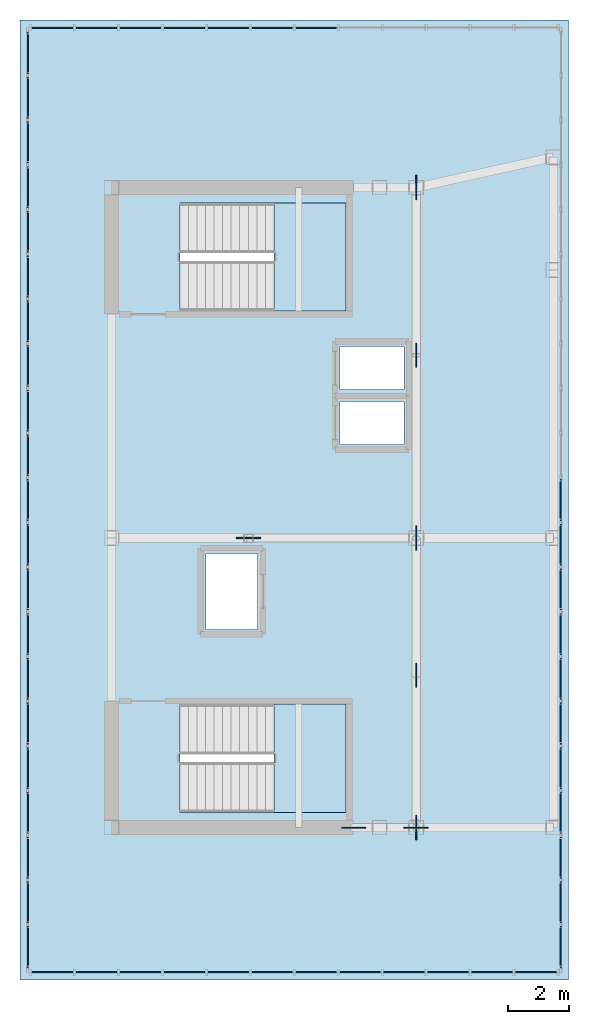
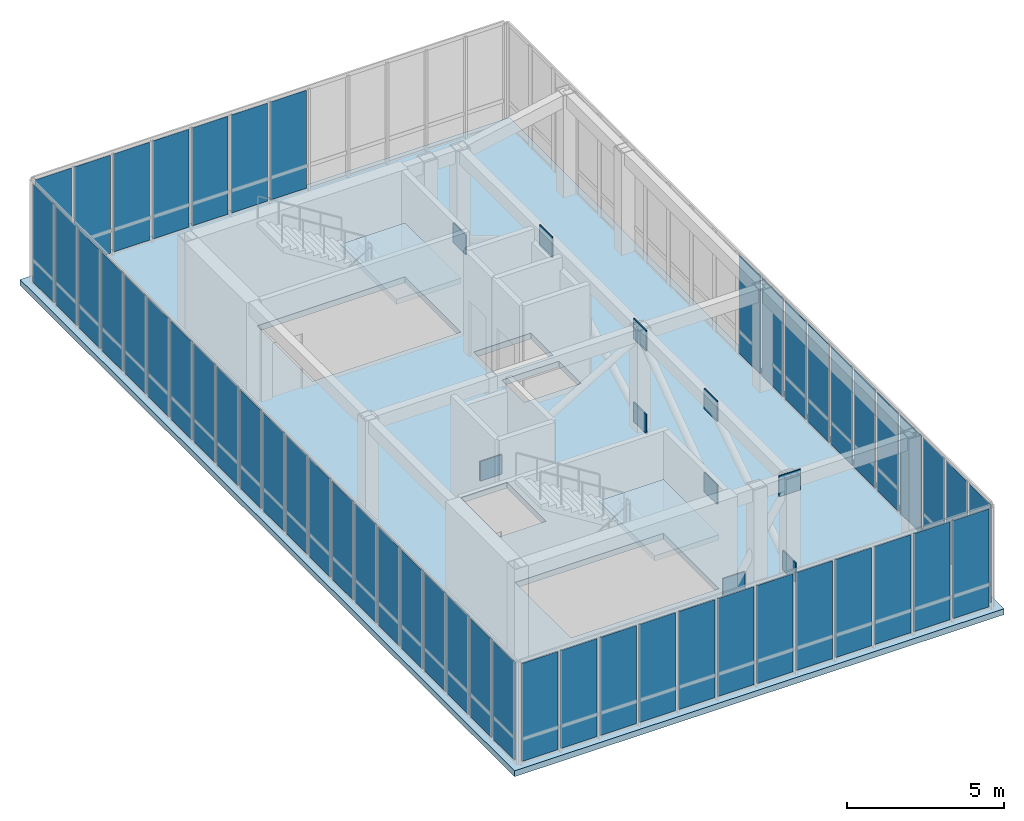
# One storey, part 11 of 13: 61 plates, 3 slabs, 6 elements without a shape of their own.
"""IFC4 building model written with IfcOpenShell, lengths in metres."""

from ifc_helpers import new_model, si_unit, direction, frame, origin, origin_2d, place, context, subcontext, project, spatial, polyline, rectangle, outline, extrude, source, transform, mapped, material, layer, layer_set, type_object, element, aggregate, save


model = new_model("IFC4")

# Units and contexts
model_context = context("Model", 3, precision=1e-05, world=origin(), true_north=direction((0.0, 1.0)))
body_context = subcontext(model_context, "Body", "Model", "MODEL_VIEW")
ifc_project = project(units=[si_unit("LENGTHUNIT", "METRE"), si_unit("AREAUNIT", "SQUARE_METRE"), si_unit("VOLUMEUNIT", "CUBIC_METRE"), si_unit("PLANEANGLEUNIT", "RADIAN"), si_unit("MASSUNIT", "GRAM", prefix="KILO")], contexts=[model_context])

# Site, building, storey
site_placement = place(None, origin())
site = spatial("IfcSite", under=ifc_project, at=site_placement, CompositionType="ELEMENT")
building_placement = place(site_placement, origin())
building = spatial("IfcBuilding", under=site, at=building_placement, Name="Kharzan Plaza Tower", CompositionType="ELEMENT")
storey_placement = place(building_placement, frame((0.0, 0.0, 285.60009765625)))
storey = spatial("IfcBuildingStorey", under=building, at=storey_placement, Name="L77-CROWN", CompositionType="ELEMENT", Elevation=285.60009765625)

# Slab
ifc_material_1 = material(Name="Concrete C40/50", Category="concrete")
ifc_layer_1 = layer(ifc_material_1, 0.22998046875)
ifc_layer_set_1 = layer_set([ifc_layer_1], Name="Concrete C40/50")
slab_type_1 = type_object("IfcSlabType", Name="SL-FLOOR-230", PredefinedType="FLOOR", material=ifc_layer_set_1)
slab_1_placement = place(storey_placement, frame((0.0, 0.0, -0.22998046875)))
element("IfcSlab", 1, at=slab_1_placement, inside=storey, type_object=slab_type_1, Name="L77-CROWN Composite Structural Floor Slab 230 mm", PredefinedType="FLOOR", context=body_context, shape_type="SweptSolid", body=[
    extrude(outline(polyline([(1.5, 3.5), (19.5, 3.5), (19.5, 35.0), (1.5, 35.0), (1.5, 3.5)]), holes=[polyline([(6.75, 12.550048828125), (6.75, 9.0), (12.199951171875, 9.0), (12.199951171875, 12.550048828125), (6.75, 12.550048828125)]), polyline([(7.60009765625, 17.5), (7.60009765625, 15.0), (9.300048828125, 15.0), (9.300048828125, 17.5), (7.60009765625, 17.5)]), polyline([(12.0, 22.489990234375), (12.0, 21.070068359375), (14.10009765625, 21.070068359375), (14.10009765625, 22.489990234375), (12.0, 22.489990234375)]), polyline([(14.10009765625, 24.2900390625), (12.0, 24.2900390625), (12.0, 22.8701171875), (14.10009765625, 22.8701171875), (14.10009765625, 24.2900390625)]), polyline([(12.199951171875, 29.0), (6.75, 29.0), (6.75, 25.449951171875), (12.199951171875, 25.449951171875), (12.199951171875, 29.0)])]), origin(), (0.0, 0.0, 1.0), 0.22998046875),
])

# Stair, slab
stair_type_1 = type_object("IfcStairType", Name="STR-ST-1", PredefinedType="HALF_TURN_STAIR", material=ifc_material_1)
stair_1_placement = place(storey_placement, origin())
stair_1 = element("IfcStair", 2, at=stair_1_placement, inside=storey, type_object=stair_type_1, Name="L77-CROWN Protected Exit Stair ST-1", PredefinedType="HALF_TURN_STAIR")
ifc_layer_2 = layer(ifc_material_1, 0.219970703125)
ifc_layer_set_2 = layer_set([ifc_layer_2], Name="Concrete C40/50")
slab_type_2 = type_object("IfcSlabType", Name="SL-LANDING-220", PredefinedType="LANDING", material=ifc_layer_set_2)
slab_2_placement = place(storey_placement, frame((0.0, 0.0, 1.89990234375)))
slab_2 = element("IfcSlab", 3, at=slab_2_placement, type_object=slab_type_2, Name="ST-1 landing 1", PredefinedType="LANDING", context=body_context, shape_type="SweptSolid", body=[
    extrude(outline(polyline([(9.830078125, 9.0), (12.199951171875, 9.0), (12.199951171875, 12.550048828125), (9.830078125, 12.550048828125), (9.830078125, 9.0)])), origin(), (0.0, 0.0, 1.0), 0.199951171875),
])
aggregate(stair_1, [slab_2])

stair_type_2 = type_object("IfcStairType", Name="STR-ST-2", PredefinedType="HALF_TURN_STAIR", material=ifc_material_1)
stair_2_placement = place(storey_placement, origin())
stair_2 = element("IfcStair", 4, at=stair_2_placement, inside=storey, type_object=stair_type_2, Name="L77-CROWN Protected Exit Stair ST-2", PredefinedType="HALF_TURN_STAIR")
slab_3_placement = place(storey_placement, frame((0.0, 0.0, 1.89990234375)))
slab_3 = element("IfcSlab", 5, at=slab_3_placement, type_object=slab_type_2, Name="ST-2 landing 1", PredefinedType="LANDING", context=body_context, shape_type="SweptSolid", body=[
    extrude(outline(polyline([(9.830078125, 25.449951171875), (12.199951171875, 25.449951171875), (12.199951171875, 29.0), (9.830078125, 29.0), (9.830078125, 25.449951171875)])), origin(), (0.0, 0.0, 1.0), 0.199951171875),
])
aggregate(stair_2, [slab_3])

# Curtain wall, plates
ifc_material_2 = material(Name="Unitised Bronze-Anodized Aluminium and Low-E Glass", Category="aluminium")
ifc_layer_3 = layer(ifc_material_2, 0.199951171875)
ifc_layer_set_3 = layer_set([ifc_layer_3], Name="Unitised Bronze-Anodized Aluminium and Low-E Glass")
curtain_wall_type = type_object("IfcCurtainWallType", Name="CW-LANTERN-6", PredefinedType="NOTDEFINED", material=ifc_layer_set_3)
curtain_wall_1_placement = place(storey_placement, origin())
curtain_wall_1 = element("IfcCurtainWall", 6, at=curtain_wall_1_placement, inside=storey, type_object=curtain_wall_type, Name="L77-CROWN Lantern Crown Illuminated Curtain Wall 1", PredefinedType="NOTDEFINED")
ifc_material_3 = material(Name="Low-Iron Fritted Lantern Crown Glazing", Category="glass")
ifc_layer_4 = layer(ifc_material_3, 0.035888671875)
ifc_layer_set_4 = layer_set([ifc_layer_4], Name="Low-Iron Fritted Lantern Crown Glazing")
plate_type_1 = type_object("IfcPlateType", Name="PLT-CW-LANTERN", PredefinedType="CURTAIN_PANEL", material=ifc_layer_set_4)
shared_shape_1 = source(origin(), body_context, "Body", "SweptSolid", [
    extrude(rectangle(XDim=1.32177734375, YDim=0.035888671875, at=origin_2d()), origin(), (0.0, 0.0, 1.0), 3.81005859375),
])
plate_1_placement = place(storey_placement, frame((2.57080078125, 3.75, 0.079833984375), z_axis=(0.0, 0.0, 1.0), x_axis=(1.0, 0.0, 0.0)))
plate_1 = element("IfcPlate", 7, at=plate_1_placement, type_object=plate_type_1, Name="L77-CROWN Curtain-Wall Glazed Panel 00", PredefinedType="CURTAIN_PANEL", context=body_context, shape_type="MappedRepresentation", body=[
    mapped(shared_shape_1, transform((0.0, 0.0, 0.0), x_axis=(1.0, 0.0, 0.0), y_axis=(0.0, 1.0, 0.0), z_axis=(0.0, 0.0, 1.0))),
])
plate_2_placement = place(storey_placement, frame((4.012451171875, 3.75, 0.079833984375), z_axis=(0.0, 0.0, 1.0), x_axis=(1.0, 0.0, 0.0)))
plate_2 = element("IfcPlate", 8, at=plate_2_placement, type_object=plate_type_1, Name="L77-CROWN Curtain-Wall Glazed Panel 01", PredefinedType="CURTAIN_PANEL", context=body_context, shape_type="MappedRepresentation", body=[
    mapped(shared_shape_1, transform((0.0, 0.0, 0.0), x_axis=(1.0, 0.0, 0.0), y_axis=(0.0, 1.0, 0.0), z_axis=(0.0, 0.0, 1.0))),
])
plate_3_placement = place(storey_placement, frame((5.4541015625, 3.75, 0.079833984375), z_axis=(0.0, 0.0, 1.0), x_axis=(1.0, 0.0, 0.0)))
plate_3 = element("IfcPlate", 9, at=plate_3_placement, type_object=plate_type_1, Name="L77-CROWN Curtain-Wall Glazed Panel 02", PredefinedType="CURTAIN_PANEL", context=body_context, shape_type="MappedRepresentation", body=[
    mapped(shared_shape_1, transform((0.0, 0.0, 0.0), x_axis=(1.0, 0.0, 0.0), y_axis=(0.0, 1.0, 0.0), z_axis=(0.0, 0.0, 1.0))),
])
plate_4_placement = place(storey_placement, frame((6.895751953125, 3.75, 0.079833984375), z_axis=(0.0, 0.0, 1.0), x_axis=(1.0, 0.0, 0.0)))
plate_4 = element("IfcPlate", 10, at=plate_4_placement, type_object=plate_type_1, Name="L77-CROWN Curtain-Wall Glazed Panel 03", PredefinedType="CURTAIN_PANEL", context=body_context, shape_type="MappedRepresentation", body=[
    mapped(shared_shape_1, transform((0.0, 0.0, 0.0), x_axis=(1.0, 0.0, 0.0), y_axis=(0.0, 1.0, 0.0), z_axis=(0.0, 0.0, 1.0))),
])
plate_5_placement = place(storey_placement, frame((8.33740234375, 3.75, 0.079833984375), z_axis=(0.0, 0.0, 1.0), x_axis=(1.0, 0.0, 0.0)))
plate_5 = element("IfcPlate", 11, at=plate_5_placement, type_object=plate_type_1, Name="L77-CROWN Curtain-Wall Glazed Panel 04", PredefinedType="CURTAIN_PANEL", context=body_context, shape_type="MappedRepresentation", body=[
    mapped(shared_shape_1, transform((0.0, 0.0, 0.0), x_axis=(1.0, 0.0, 0.0), y_axis=(0.0, 1.0, 0.0), z_axis=(0.0, 0.0, 1.0))),
])
plate_6_placement = place(storey_placement, frame((9.779296875, 3.75, 0.079833984375), z_axis=(0.0, 0.0, 1.0), x_axis=(1.0, 0.0, 0.0)))
plate_6 = element("IfcPlate", 12, at=plate_6_placement, type_object=plate_type_1, Name="L77-CROWN Curtain-Wall Glazed Panel 05", PredefinedType="CURTAIN_PANEL", context=body_context, shape_type="MappedRepresentation", body=[
    mapped(shared_shape_1, transform((0.0, 0.0, 0.0), x_axis=(1.0, 0.0, 0.0), y_axis=(0.0, 1.0, 0.0), z_axis=(0.0, 0.0, 1.0))),
])
plate_7_placement = place(storey_placement, frame((11.220703125, 3.75, 0.079833984375), z_axis=(0.0, 0.0, 1.0), x_axis=(1.0, 0.0, 0.0)))
plate_7 = element("IfcPlate", 13, at=plate_7_placement, type_object=plate_type_1, Name="L77-CROWN Curtain-Wall Glazed Panel 06", PredefinedType="CURTAIN_PANEL", context=body_context, shape_type="MappedRepresentation", body=[
    mapped(shared_shape_1, transform((0.0, 0.0, 0.0), x_axis=(1.0, 0.0, 0.0), y_axis=(0.0, 1.0, 0.0), z_axis=(0.0, 0.0, 1.0))),
])
plate_8_placement = place(storey_placement, frame((12.66259765625, 3.75, 0.079833984375), z_axis=(0.0, 0.0, 1.0), x_axis=(1.0, 0.0, 0.0)))
plate_8 = element("IfcPlate", 14, at=plate_8_placement, type_object=plate_type_1, Name="L77-CROWN Curtain-Wall Glazed Panel 07", PredefinedType="CURTAIN_PANEL", context=body_context, shape_type="MappedRepresentation", body=[
    mapped(shared_shape_1, transform((0.0, 0.0, 0.0), x_axis=(1.0, 0.0, 0.0), y_axis=(0.0, 1.0, 0.0), z_axis=(0.0, 0.0, 1.0))),
])
plate_9_placement = place(storey_placement, frame((14.104248046875, 3.75, 0.079833984375), z_axis=(0.0, 0.0, 1.0), x_axis=(1.0, 0.0, 0.0)))
plate_9 = element("IfcPlate", 15, at=plate_9_placement, type_object=plate_type_1, Name="L77-CROWN Curtain-Wall Glazed Panel 08", PredefinedType="CURTAIN_PANEL", context=body_context, shape_type="MappedRepresentation", body=[
    mapped(shared_shape_1, transform((0.0, 0.0, 0.0), x_axis=(1.0, 0.0, 0.0), y_axis=(0.0, 1.0, 0.0), z_axis=(0.0, 0.0, 1.0))),
])
plate_10_placement = place(storey_placement, frame((15.5458984375, 3.75, 0.079833984375), z_axis=(0.0, 0.0, 1.0), x_axis=(1.0, 0.0, 0.0)))
plate_10 = element("IfcPlate", 16, at=plate_10_placement, type_object=plate_type_1, Name="L77-CROWN Curtain-Wall Glazed Panel 09", PredefinedType="CURTAIN_PANEL", context=body_context, shape_type="MappedRepresentation", body=[
    mapped(shared_shape_1, transform((0.0, 0.0, 0.0), x_axis=(1.0, 0.0, 0.0), y_axis=(0.0, 1.0, 0.0), z_axis=(0.0, 0.0, 1.0))),
])
plate_11_placement = place(storey_placement, frame((16.987548828125, 3.75, 0.079833984375), z_axis=(0.0, 0.0, 1.0), x_axis=(1.0, 0.0, 0.0)))
plate_11 = element("IfcPlate", 17, at=plate_11_placement, type_object=plate_type_1, Name="L77-CROWN Curtain-Wall Glazed Panel 10", PredefinedType="CURTAIN_PANEL", context=body_context, shape_type="MappedRepresentation", body=[
    mapped(shared_shape_1, transform((0.0, 0.0, 0.0), x_axis=(1.0, 0.0, 0.0), y_axis=(0.0, 1.0, 0.0), z_axis=(0.0, 0.0, 1.0))),
])
plate_12_placement = place(storey_placement, frame((18.42919921875, 3.75, 0.079833984375), z_axis=(0.0, 0.0, 1.0), x_axis=(1.0, 0.0, 0.0)))
plate_12 = element("IfcPlate", 18, at=plate_12_placement, type_object=plate_type_1, Name="L77-CROWN Curtain-Wall Glazed Panel 11", PredefinedType="CURTAIN_PANEL", context=body_context, shape_type="MappedRepresentation", body=[
    mapped(shared_shape_1, transform((0.0, 0.0, 0.0), x_axis=(1.0, 0.0, 0.0), y_axis=(0.0, 1.0, 0.0), z_axis=(0.0, 0.0, 1.0))),
])
aggregate(curtain_wall_1, [plate_1, plate_2, plate_3, plate_4, plate_5, plate_6, plate_7, plate_8, plate_9, plate_10, plate_11, plate_12])

curtain_wall_2_placement = place(storey_placement, origin())
curtain_wall_2 = element("IfcCurtainWall", 19, at=curtain_wall_2_placement, inside=storey, type_object=curtain_wall_type, Name="L77-CROWN Lantern Crown Illuminated Curtain Wall 3", PredefinedType="NOTDEFINED")
plate_13_placement = place(storey_placement, frame((11.220703125, 34.75, 0.079833984375), z_axis=(0.0, 0.0, 1.0), x_axis=(-1.0, 0.0, 0.0)))
plate_13 = element("IfcPlate", 20, at=plate_13_placement, type_object=plate_type_1, Name="L77-CROWN Curtain-Wall Glazed Panel 05", PredefinedType="CURTAIN_PANEL", context=body_context, shape_type="MappedRepresentation", body=[
    mapped(shared_shape_1, transform((0.0, 0.0, 0.0), x_axis=(1.0, 0.0, 0.0), y_axis=(0.0, 1.0, 0.0), z_axis=(0.0, 0.0, 1.0))),
])
plate_14_placement = place(storey_placement, frame((9.779296875, 34.75, 0.079833984375), z_axis=(0.0, 0.0, 1.0), x_axis=(-1.0, 0.0, 0.0)))
plate_14 = element("IfcPlate", 21, at=plate_14_placement, type_object=plate_type_1, Name="L77-CROWN Curtain-Wall Glazed Panel 06", PredefinedType="CURTAIN_PANEL", context=body_context, shape_type="MappedRepresentation", body=[
    mapped(shared_shape_1, transform((0.0, 0.0, 0.0), x_axis=(1.0, 0.0, 0.0), y_axis=(0.0, 1.0, 0.0), z_axis=(0.0, 0.0, 1.0))),
])
plate_15_placement = place(storey_placement, frame((8.33740234375, 34.75, 0.079833984375), z_axis=(0.0, 0.0, 1.0), x_axis=(-1.0, 0.0, 0.0)))
plate_15 = element("IfcPlate", 22, at=plate_15_placement, type_object=plate_type_1, Name="L77-CROWN Curtain-Wall Glazed Panel 07", PredefinedType="CURTAIN_PANEL", context=body_context, shape_type="MappedRepresentation", body=[
    mapped(shared_shape_1, transform((0.0, 0.0, 0.0), x_axis=(1.0, 0.0, 0.0), y_axis=(0.0, 1.0, 0.0), z_axis=(0.0, 0.0, 1.0))),
])
plate_16_placement = place(storey_placement, frame((6.895751953125, 34.75, 0.079833984375), z_axis=(0.0, 0.0, 1.0), x_axis=(-1.0, 0.0, 0.0)))
plate_16 = element("IfcPlate", 23, at=plate_16_placement, type_object=plate_type_1, Name="L77-CROWN Curtain-Wall Glazed Panel 08", PredefinedType="CURTAIN_PANEL", context=body_context, shape_type="MappedRepresentation", body=[
    mapped(shared_shape_1, transform((0.0, 0.0, 0.0), x_axis=(1.0, 0.0, 0.0), y_axis=(0.0, 1.0, 0.0), z_axis=(0.0, 0.0, 1.0))),
])
plate_17_placement = place(storey_placement, frame((5.4541015625, 34.75, 0.079833984375), z_axis=(0.0, 0.0, 1.0), x_axis=(-1.0, 0.0, 0.0)))
plate_17 = element("IfcPlate", 24, at=plate_17_placement, type_object=plate_type_1, Name="L77-CROWN Curtain-Wall Glazed Panel 09", PredefinedType="CURTAIN_PANEL", context=body_context, shape_type="MappedRepresentation", body=[
    mapped(shared_shape_1, transform((0.0, 0.0, 0.0), x_axis=(1.0, 0.0, 0.0), y_axis=(0.0, 1.0, 0.0), z_axis=(0.0, 0.0, 1.0))),
])
plate_18_placement = place(storey_placement, frame((4.012451171875, 34.75, 0.079833984375), z_axis=(0.0, 0.0, 1.0), x_axis=(-1.0, 0.0, 0.0)))
plate_18 = element("IfcPlate", 25, at=plate_18_placement, type_object=plate_type_1, Name="L77-CROWN Curtain-Wall Glazed Panel 10", PredefinedType="CURTAIN_PANEL", context=body_context, shape_type="MappedRepresentation", body=[
    mapped(shared_shape_1, transform((0.0, 0.0, 0.0), x_axis=(1.0, 0.0, 0.0), y_axis=(0.0, 1.0, 0.0), z_axis=(0.0, 0.0, 1.0))),
])
plate_19_placement = place(storey_placement, frame((2.57080078125, 34.75, 0.079833984375), z_axis=(0.0, 0.0, 1.0), x_axis=(-1.0, 0.0, 0.0)))
plate_19 = element("IfcPlate", 26, at=plate_19_placement, type_object=plate_type_1, Name="L77-CROWN Curtain-Wall Glazed Panel 11", PredefinedType="CURTAIN_PANEL", context=body_context, shape_type="MappedRepresentation", body=[
    mapped(shared_shape_1, transform((0.0, 0.0, 0.0), x_axis=(1.0, 0.0, 0.0), y_axis=(0.0, 1.0, 0.0), z_axis=(0.0, 0.0, 1.0))),
])
aggregate(curtain_wall_2, [plate_13, plate_14, plate_15, plate_16, plate_17, plate_18, plate_19])

curtain_wall_3_placement = place(storey_placement, origin())
curtain_wall_3 = element("IfcCurtainWall", 27, at=curtain_wall_3_placement, inside=storey, type_object=curtain_wall_type, Name="L77-CROWN Lantern Crown Illuminated Curtain Wall 2", PredefinedType="NOTDEFINED")
shared_shape_2 = source(origin(), body_context, "Body", "SweptSolid", [
    extrude(rectangle(XDim=1.3466796875, YDim=0.035888671875, at=origin_2d()), origin(), (0.0, 0.0, 1.0), 3.81005859375),
])
plate_20_placement = place(storey_placement, frame((19.25, 4.583251953125, 0.079833984375), z_axis=(0.0, 0.0, 1.0), x_axis=(0.0, 1.0, 0.0)))
plate_20 = element("IfcPlate", 28, at=plate_20_placement, type_object=plate_type_1, Name="L77-CROWN Curtain-Wall Glazed Panel 00", PredefinedType="CURTAIN_PANEL", context=body_context, shape_type="MappedRepresentation", body=[
    mapped(shared_shape_2, transform((0.0, 0.0, 0.0), x_axis=(1.0, 0.0, 0.0), y_axis=(0.0, 1.0, 0.0), z_axis=(0.0, 0.0, 1.0))),
])
plate_21_placement = place(storey_placement, frame((19.25, 6.050048828125, 0.079833984375), z_axis=(0.0, 0.0, 1.0), x_axis=(0.0, 1.0, 0.0)))
plate_21 = element("IfcPlate", 29, at=plate_21_placement, type_object=plate_type_1, Name="L77-CROWN Curtain-Wall Glazed Panel 01", PredefinedType="CURTAIN_PANEL", context=body_context, shape_type="MappedRepresentation", body=[
    mapped(shared_shape_2, transform((0.0, 0.0, 0.0), x_axis=(1.0, 0.0, 0.0), y_axis=(0.0, 1.0, 0.0), z_axis=(0.0, 0.0, 1.0))),
])
plate_22_placement = place(storey_placement, frame((19.25, 7.5166015625, 0.079833984375), z_axis=(0.0, 0.0, 1.0), x_axis=(0.0, 1.0, 0.0)))
plate_22 = element("IfcPlate", 30, at=plate_22_placement, type_object=plate_type_1, Name="L77-CROWN Curtain-Wall Glazed Panel 02", PredefinedType="CURTAIN_PANEL", context=body_context, shape_type="MappedRepresentation", body=[
    mapped(shared_shape_2, transform((0.0, 0.0, 0.0), x_axis=(1.0, 0.0, 0.0), y_axis=(0.0, 1.0, 0.0), z_axis=(0.0, 0.0, 1.0))),
])
plate_23_placement = place(storey_placement, frame((19.25, 8.9833984375, 0.079833984375), z_axis=(0.0, 0.0, 1.0), x_axis=(0.0, 1.0, 0.0)))
plate_23 = element("IfcPlate", 31, at=plate_23_placement, type_object=plate_type_1, Name="L77-CROWN Curtain-Wall Glazed Panel 03", PredefinedType="CURTAIN_PANEL", context=body_context, shape_type="MappedRepresentation", body=[
    mapped(shared_shape_2, transform((0.0, 0.0, 0.0), x_axis=(1.0, 0.0, 0.0), y_axis=(0.0, 1.0, 0.0), z_axis=(0.0, 0.0, 1.0))),
])
plate_24_placement = place(storey_placement, frame((19.25, 10.449951171875, 0.079833984375), z_axis=(0.0, 0.0, 1.0), x_axis=(0.0, 1.0, 0.0)))
plate_24 = element("IfcPlate", 32, at=plate_24_placement, type_object=plate_type_1, Name="L77-CROWN Curtain-Wall Glazed Panel 04", PredefinedType="CURTAIN_PANEL", context=body_context, shape_type="MappedRepresentation", body=[
    mapped(shared_shape_2, transform((0.0, 0.0, 0.0), x_axis=(1.0, 0.0, 0.0), y_axis=(0.0, 1.0, 0.0), z_axis=(0.0, 0.0, 1.0))),
])
plate_25_placement = place(storey_placement, frame((19.25, 11.916748046875, 0.079833984375), z_axis=(0.0, 0.0, 1.0), x_axis=(0.0, 1.0, 0.0)))
plate_25 = element("IfcPlate", 33, at=plate_25_placement, type_object=plate_type_1, Name="L77-CROWN Curtain-Wall Glazed Panel 05", PredefinedType="CURTAIN_PANEL", context=body_context, shape_type="MappedRepresentation", body=[
    mapped(shared_shape_2, transform((0.0, 0.0, 0.0), x_axis=(1.0, 0.0, 0.0), y_axis=(0.0, 1.0, 0.0), z_axis=(0.0, 0.0, 1.0))),
])
plate_26_placement = place(storey_placement, frame((19.25, 13.38330078125, 0.079833984375), z_axis=(0.0, 0.0, 1.0), x_axis=(0.0, 1.0, 0.0)))
plate_26 = element("IfcPlate", 34, at=plate_26_placement, type_object=plate_type_1, Name="L77-CROWN Curtain-Wall Glazed Panel 06", PredefinedType="CURTAIN_PANEL", context=body_context, shape_type="MappedRepresentation", body=[
    mapped(shared_shape_2, transform((0.0, 0.0, 0.0), x_axis=(1.0, 0.0, 0.0), y_axis=(0.0, 1.0, 0.0), z_axis=(0.0, 0.0, 1.0))),
])
plate_27_placement = place(storey_placement, frame((19.25, 14.85009765625, 0.079833984375), z_axis=(0.0, 0.0, 1.0), x_axis=(0.0, 1.0, 0.0)))
plate_27 = element("IfcPlate", 35, at=plate_27_placement, type_object=plate_type_1, Name="L77-CROWN Curtain-Wall Glazed Panel 07", PredefinedType="CURTAIN_PANEL", context=body_context, shape_type="MappedRepresentation", body=[
    mapped(shared_shape_2, transform((0.0, 0.0, 0.0), x_axis=(1.0, 0.0, 0.0), y_axis=(0.0, 1.0, 0.0), z_axis=(0.0, 0.0, 1.0))),
])
plate_28_placement = place(storey_placement, frame((19.25, 16.316650390625, 0.079833984375), z_axis=(0.0, 0.0, 1.0), x_axis=(0.0, 1.0, 0.0)))
plate_28 = element("IfcPlate", 36, at=plate_28_placement, type_object=plate_type_1, Name="L77-CROWN Curtain-Wall Glazed Panel 08", PredefinedType="CURTAIN_PANEL", context=body_context, shape_type="MappedRepresentation", body=[
    mapped(shared_shape_2, transform((0.0, 0.0, 0.0), x_axis=(1.0, 0.0, 0.0), y_axis=(0.0, 1.0, 0.0), z_axis=(0.0, 0.0, 1.0))),
])
plate_29_placement = place(storey_placement, frame((19.25, 17.783203125, 0.079833984375), z_axis=(0.0, 0.0, 1.0), x_axis=(0.0, 1.0, 0.0)))
plate_29 = element("IfcPlate", 37, at=plate_29_placement, type_object=plate_type_1, Name="L77-CROWN Curtain-Wall Glazed Panel 09", PredefinedType="CURTAIN_PANEL", context=body_context, shape_type="MappedRepresentation", body=[
    mapped(shared_shape_2, transform((0.0, 0.0, 0.0), x_axis=(1.0, 0.0, 0.0), y_axis=(0.0, 1.0, 0.0), z_axis=(0.0, 0.0, 1.0))),
])
plate_30_placement = place(storey_placement, frame((19.25, 19.25, 0.079833984375), z_axis=(0.0, 0.0, 1.0), x_axis=(0.0, 1.0, 0.0)))
plate_30 = element("IfcPlate", 38, at=plate_30_placement, type_object=plate_type_1, Name="L77-CROWN Curtain-Wall Glazed Panel 10", PredefinedType="CURTAIN_PANEL", context=body_context, shape_type="MappedRepresentation", body=[
    mapped(shared_shape_2, transform((0.0, 0.0, 0.0), x_axis=(1.0, 0.0, 0.0), y_axis=(0.0, 1.0, 0.0), z_axis=(0.0, 0.0, 1.0))),
])
aggregate(curtain_wall_3, [plate_20, plate_21, plate_22, plate_23, plate_24, plate_25, plate_26, plate_27, plate_28, plate_29, plate_30])

curtain_wall_4_placement = place(storey_placement, origin())
curtain_wall_4 = element("IfcCurtainWall", 39, at=curtain_wall_4_placement, inside=storey, type_object=curtain_wall_type, Name="L77-CROWN Lantern Crown Illuminated Curtain Wall 4", PredefinedType="NOTDEFINED")
plate_31_placement = place(storey_placement, frame((1.75, 33.916748046875, 0.079833984375), z_axis=(0.0, 0.0, 1.0), x_axis=(0.0, -1.0, 0.0)))
plate_31 = element("IfcPlate", 40, at=plate_31_placement, type_object=plate_type_1, Name="L77-CROWN Curtain-Wall Glazed Panel 00", PredefinedType="CURTAIN_PANEL", context=body_context, shape_type="MappedRepresentation", body=[
    mapped(shared_shape_2, transform((0.0, 0.0, 0.0), x_axis=(1.0, 0.0, 0.0), y_axis=(0.0, 1.0, 0.0), z_axis=(0.0, 0.0, 1.0))),
])
plate_32_placement = place(storey_placement, frame((1.75, 32.449951171875, 0.079833984375), z_axis=(0.0, 0.0, 1.0), x_axis=(0.0, -1.0, 0.0)))
plate_32 = element("IfcPlate", 41, at=plate_32_placement, type_object=plate_type_1, Name="L77-CROWN Curtain-Wall Glazed Panel 01", PredefinedType="CURTAIN_PANEL", context=body_context, shape_type="MappedRepresentation", body=[
    mapped(shared_shape_2, transform((0.0, 0.0, 0.0), x_axis=(1.0, 0.0, 0.0), y_axis=(0.0, 1.0, 0.0), z_axis=(0.0, 0.0, 1.0))),
])
plate_33_placement = place(storey_placement, frame((1.75, 30.9833984375, 0.079833984375), z_axis=(0.0, 0.0, 1.0), x_axis=(0.0, -1.0, 0.0)))
plate_33 = element("IfcPlate", 42, at=plate_33_placement, type_object=plate_type_1, Name="L77-CROWN Curtain-Wall Glazed Panel 02", PredefinedType="CURTAIN_PANEL", context=body_context, shape_type="MappedRepresentation", body=[
    mapped(shared_shape_2, transform((0.0, 0.0, 0.0), x_axis=(1.0, 0.0, 0.0), y_axis=(0.0, 1.0, 0.0), z_axis=(0.0, 0.0, 1.0))),
])
plate_34_placement = place(storey_placement, frame((1.75, 29.5166015625, 0.079833984375), z_axis=(0.0, 0.0, 1.0), x_axis=(0.0, -1.0, 0.0)))
plate_34 = element("IfcPlate", 43, at=plate_34_placement, type_object=plate_type_1, Name="L77-CROWN Curtain-Wall Glazed Panel 03", PredefinedType="CURTAIN_PANEL", context=body_context, shape_type="MappedRepresentation", body=[
    mapped(shared_shape_2, transform((0.0, 0.0, 0.0), x_axis=(1.0, 0.0, 0.0), y_axis=(0.0, 1.0, 0.0), z_axis=(0.0, 0.0, 1.0))),
])
plate_35_placement = place(storey_placement, frame((1.75, 28.050048828125, 0.079833984375), z_axis=(0.0, 0.0, 1.0), x_axis=(0.0, -1.0, 0.0)))
plate_35 = element("IfcPlate", 44, at=plate_35_placement, type_object=plate_type_1, Name="L77-CROWN Curtain-Wall Glazed Panel 04", PredefinedType="CURTAIN_PANEL", context=body_context, shape_type="MappedRepresentation", body=[
    mapped(shared_shape_2, transform((0.0, 0.0, 0.0), x_axis=(1.0, 0.0, 0.0), y_axis=(0.0, 1.0, 0.0), z_axis=(0.0, 0.0, 1.0))),
])
plate_36_placement = place(storey_placement, frame((1.75, 26.583251953125, 0.079833984375), z_axis=(0.0, 0.0, 1.0), x_axis=(0.0, -1.0, 0.0)))
plate_36 = element("IfcPlate", 45, at=plate_36_placement, type_object=plate_type_1, Name="L77-CROWN Curtain-Wall Glazed Panel 05", PredefinedType="CURTAIN_PANEL", context=body_context, shape_type="MappedRepresentation", body=[
    mapped(shared_shape_2, transform((0.0, 0.0, 0.0), x_axis=(1.0, 0.0, 0.0), y_axis=(0.0, 1.0, 0.0), z_axis=(0.0, 0.0, 1.0))),
])
plate_37_placement = place(storey_placement, frame((1.75, 25.11669921875, 0.079833984375), z_axis=(0.0, 0.0, 1.0), x_axis=(0.0, -1.0, 0.0)))
plate_37 = element("IfcPlate", 46, at=plate_37_placement, type_object=plate_type_1, Name="L77-CROWN Curtain-Wall Glazed Panel 06", PredefinedType="CURTAIN_PANEL", context=body_context, shape_type="MappedRepresentation", body=[
    mapped(shared_shape_2, transform((0.0, 0.0, 0.0), x_axis=(1.0, 0.0, 0.0), y_axis=(0.0, 1.0, 0.0), z_axis=(0.0, 0.0, 1.0))),
])
plate_38_placement = place(storey_placement, frame((1.75, 23.64990234375, 0.079833984375), z_axis=(0.0, 0.0, 1.0), x_axis=(0.0, -1.0, 0.0)))
plate_38 = element("IfcPlate", 47, at=plate_38_placement, type_object=plate_type_1, Name="L77-CROWN Curtain-Wall Glazed Panel 07", PredefinedType="CURTAIN_PANEL", context=body_context, shape_type="MappedRepresentation", body=[
    mapped(shared_shape_2, transform((0.0, 0.0, 0.0), x_axis=(1.0, 0.0, 0.0), y_axis=(0.0, 1.0, 0.0), z_axis=(0.0, 0.0, 1.0))),
])
plate_39_placement = place(storey_placement, frame((1.75, 22.183349609375, 0.079833984375), z_axis=(0.0, 0.0, 1.0), x_axis=(0.0, -1.0, 0.0)))
plate_39 = element("IfcPlate", 48, at=plate_39_placement, type_object=plate_type_1, Name="L77-CROWN Curtain-Wall Glazed Panel 08", PredefinedType="CURTAIN_PANEL", context=body_context, shape_type="MappedRepresentation", body=[
    mapped(shared_shape_2, transform((0.0, 0.0, 0.0), x_axis=(1.0, 0.0, 0.0), y_axis=(0.0, 1.0, 0.0), z_axis=(0.0, 0.0, 1.0))),
])
plate_40_placement = place(storey_placement, frame((1.75, 20.716796875, 0.079833984375), z_axis=(0.0, 0.0, 1.0), x_axis=(0.0, -1.0, 0.0)))
plate_40 = element("IfcPlate", 49, at=plate_40_placement, type_object=plate_type_1, Name="L77-CROWN Curtain-Wall Glazed Panel 09", PredefinedType="CURTAIN_PANEL", context=body_context, shape_type="MappedRepresentation", body=[
    mapped(shared_shape_2, transform((0.0, 0.0, 0.0), x_axis=(1.0, 0.0, 0.0), y_axis=(0.0, 1.0, 0.0), z_axis=(0.0, 0.0, 1.0))),
])
plate_41_placement = place(storey_placement, frame((1.75, 19.25, 0.079833984375), z_axis=(0.0, 0.0, 1.0), x_axis=(0.0, -1.0, 0.0)))
plate_41 = element("IfcPlate", 50, at=plate_41_placement, type_object=plate_type_1, Name="L77-CROWN Curtain-Wall Glazed Panel 10", PredefinedType="CURTAIN_PANEL", context=body_context, shape_type="MappedRepresentation", body=[
    mapped(shared_shape_2, transform((0.0, 0.0, 0.0), x_axis=(1.0, 0.0, 0.0), y_axis=(0.0, 1.0, 0.0), z_axis=(0.0, 0.0, 1.0))),
])
plate_42_placement = place(storey_placement, frame((1.75, 17.783203125, 0.079833984375), z_axis=(0.0, 0.0, 1.0), x_axis=(0.0, -1.0, 0.0)))
plate_42 = element("IfcPlate", 51, at=plate_42_placement, type_object=plate_type_1, Name="L77-CROWN Curtain-Wall Glazed Panel 11", PredefinedType="CURTAIN_PANEL", context=body_context, shape_type="MappedRepresentation", body=[
    mapped(shared_shape_2, transform((0.0, 0.0, 0.0), x_axis=(1.0, 0.0, 0.0), y_axis=(0.0, 1.0, 0.0), z_axis=(0.0, 0.0, 1.0))),
])
plate_43_placement = place(storey_placement, frame((1.75, 16.316650390625, 0.079833984375), z_axis=(0.0, 0.0, 1.0), x_axis=(0.0, -1.0, 0.0)))
plate_43 = element("IfcPlate", 52, at=plate_43_placement, type_object=plate_type_1, Name="L77-CROWN Curtain-Wall Glazed Panel 12", PredefinedType="CURTAIN_PANEL", context=body_context, shape_type="MappedRepresentation", body=[
    mapped(shared_shape_2, transform((0.0, 0.0, 0.0), x_axis=(1.0, 0.0, 0.0), y_axis=(0.0, 1.0, 0.0), z_axis=(0.0, 0.0, 1.0))),
])
plate_44_placement = place(storey_placement, frame((1.75, 14.85009765625, 0.079833984375), z_axis=(0.0, 0.0, 1.0), x_axis=(0.0, -1.0, 0.0)))
plate_44 = element("IfcPlate", 53, at=plate_44_placement, type_object=plate_type_1, Name="L77-CROWN Curtain-Wall Glazed Panel 13", PredefinedType="CURTAIN_PANEL", context=body_context, shape_type="MappedRepresentation", body=[
    mapped(shared_shape_2, transform((0.0, 0.0, 0.0), x_axis=(1.0, 0.0, 0.0), y_axis=(0.0, 1.0, 0.0), z_axis=(0.0, 0.0, 1.0))),
])
plate_45_placement = place(storey_placement, frame((1.75, 13.38330078125, 0.079833984375), z_axis=(0.0, 0.0, 1.0), x_axis=(0.0, -1.0, 0.0)))
plate_45 = element("IfcPlate", 54, at=plate_45_placement, type_object=plate_type_1, Name="L77-CROWN Curtain-Wall Glazed Panel 14", PredefinedType="CURTAIN_PANEL", context=body_context, shape_type="MappedRepresentation", body=[
    mapped(shared_shape_2, transform((0.0, 0.0, 0.0), x_axis=(1.0, 0.0, 0.0), y_axis=(0.0, 1.0, 0.0), z_axis=(0.0, 0.0, 1.0))),
])
plate_46_placement = place(storey_placement, frame((1.75, 11.916748046875, 0.079833984375), z_axis=(0.0, 0.0, 1.0), x_axis=(0.0, -1.0, 0.0)))
plate_46 = element("IfcPlate", 55, at=plate_46_placement, type_object=plate_type_1, Name="L77-CROWN Curtain-Wall Glazed Panel 15", PredefinedType="CURTAIN_PANEL", context=body_context, shape_type="MappedRepresentation", body=[
    mapped(shared_shape_2, transform((0.0, 0.0, 0.0), x_axis=(1.0, 0.0, 0.0), y_axis=(0.0, 1.0, 0.0), z_axis=(0.0, 0.0, 1.0))),
])
plate_47_placement = place(storey_placement, frame((1.75, 10.449951171875, 0.079833984375), z_axis=(0.0, 0.0, 1.0), x_axis=(0.0, -1.0, 0.0)))
plate_47 = element("IfcPlate", 56, at=plate_47_placement, type_object=plate_type_1, Name="L77-CROWN Curtain-Wall Glazed Panel 16", PredefinedType="CURTAIN_PANEL", context=body_context, shape_type="MappedRepresentation", body=[
    mapped(shared_shape_2, transform((0.0, 0.0, 0.0), x_axis=(1.0, 0.0, 0.0), y_axis=(0.0, 1.0, 0.0), z_axis=(0.0, 0.0, 1.0))),
])
plate_48_placement = place(storey_placement, frame((1.75, 8.9833984375, 0.079833984375), z_axis=(0.0, 0.0, 1.0), x_axis=(0.0, -1.0, 0.0)))
plate_48 = element("IfcPlate", 57, at=plate_48_placement, type_object=plate_type_1, Name="L77-CROWN Curtain-Wall Glazed Panel 17", PredefinedType="CURTAIN_PANEL", context=body_context, shape_type="MappedRepresentation", body=[
    mapped(shared_shape_2, transform((0.0, 0.0, 0.0), x_axis=(1.0, 0.0, 0.0), y_axis=(0.0, 1.0, 0.0), z_axis=(0.0, 0.0, 1.0))),
])
plate_49_placement = place(storey_placement, frame((1.75, 7.5166015625, 0.079833984375), z_axis=(0.0, 0.0, 1.0), x_axis=(0.0, -1.0, 0.0)))
plate_49 = element("IfcPlate", 58, at=plate_49_placement, type_object=plate_type_1, Name="L77-CROWN Curtain-Wall Glazed Panel 18", PredefinedType="CURTAIN_PANEL", context=body_context, shape_type="MappedRepresentation", body=[
    mapped(shared_shape_2, transform((0.0, 0.0, 0.0), x_axis=(1.0, 0.0, 0.0), y_axis=(0.0, 1.0, 0.0), z_axis=(0.0, 0.0, 1.0))),
])
plate_50_placement = place(storey_placement, frame((1.75, 6.050048828125, 0.079833984375), z_axis=(0.0, 0.0, 1.0), x_axis=(0.0, -1.0, 0.0)))
plate_50 = element("IfcPlate", 59, at=plate_50_placement, type_object=plate_type_1, Name="L77-CROWN Curtain-Wall Glazed Panel 19", PredefinedType="CURTAIN_PANEL", context=body_context, shape_type="MappedRepresentation", body=[
    mapped(shared_shape_2, transform((0.0, 0.0, 0.0), x_axis=(1.0, 0.0, 0.0), y_axis=(0.0, 1.0, 0.0), z_axis=(0.0, 0.0, 1.0))),
])
plate_51_placement = place(storey_placement, frame((1.75, 4.583251953125, 0.079833984375), z_axis=(0.0, 0.0, 1.0), x_axis=(0.0, -1.0, 0.0)))
plate_51 = element("IfcPlate", 60, at=plate_51_placement, type_object=plate_type_1, Name="L77-CROWN Curtain-Wall Glazed Panel 20", PredefinedType="CURTAIN_PANEL", context=body_context, shape_type="MappedRepresentation", body=[
    mapped(shared_shape_2, transform((0.0, 0.0, 0.0), x_axis=(1.0, 0.0, 0.0), y_axis=(0.0, 1.0, 0.0), z_axis=(0.0, 0.0, 1.0))),
])
aggregate(curtain_wall_4, [plate_31, plate_32, plate_33, plate_34, plate_35, plate_36, plate_37, plate_38, plate_39, plate_40, plate_41, plate_42, plate_43, plate_44, plate_45, plate_46, plate_47, plate_48, plate_49, plate_50, plate_51])

# Plates
ifc_material_4 = material(Name="Steel S460", Category="steel")
ifc_layer_5 = layer(ifc_material_4, 0.044921875)
ifc_layer_set_5 = layer_set([ifc_layer_5], Name="Steel S460")
plate_type_2 = type_object("IfcPlateType", Name="PLT-OTN1", PredefinedType="USERDEFINED", material=ifc_layer_set_5)
shared_shape_3 = source(origin(), body_context, "Body", "SweptSolid", [
    extrude(rectangle(XDim=0.800048828125, YDim=0.0400390625, at=origin_2d()), origin(), (0.0, 0.0, 1.0), 0.800048828125),
])
for number, where, z_axis, x_axis, name in (
    (61, (14.5, 18.0, -0.05029296875), (0.0, 0.0, 1.0), (0.0, 1.0, 0.0), "L77-CROWN CROWN FRAME Brace End Gusset Plate OTN1-CRD-E1-A"),
    (62, (14.5, 29.5, -0.05029296875), (0.0, 0.0, 1.0), (0.0, -1.0, 0.0), "L77-CROWN CROWN FRAME Brace End Gusset Plate OTN1-CRD-N1-A"),
    (63, (14.5, 24.0, 3.2197265625), (0.0, 0.0, 1.0), (0.0, -1.0, 0.0), "L77-CROWN CROWN FRAME Brace End Gusset Plate OTN1-CRD-N1-B"),
    (64, (12.449951171875, 8.5, -0.05029296875), (0.0, 0.0, 1.0), (1.0, 0.0, 0.0), "L77-CROWN CROWN FRAME Brace End Gusset Plate OTN1-CRD-N2-A"),
    (65, (14.5, 8.5, 3.2197265625), (0.0, 0.0, 1.0), (1.0, 0.0, 0.0), "L77-CROWN CROWN FRAME Brace End Gusset Plate OTN1-CRD-N2-B"),
    (66, (14.5, 8.5, -0.05029296875), (0.0, 0.0, 1.0), (0.0, 1.0, 0.0), "L77-CROWN CROWN FRAME Brace End Gusset Plate OTN1-CRD-S1-A"),
    (67, (14.5, 13.5, 3.2197265625), (0.0, 0.0, 1.0), (0.0, 1.0, 0.0), "L77-CROWN CROWN FRAME Brace End Gusset Plate OTN1-CRD-S1-B"),
    (68, (14.5, 13.5, -0.05029296875), (0.0, 0.0, 1.0), (0.0, 1.0, 0.0), "L77-CROWN CROWN FRAME Brace End Gusset Plate OTN1-CRD-S2-A"),
    (69, (14.5, 18.0, 3.2197265625), (0.0, 0.0, 1.0), (0.0, 1.0, 0.0), "L77-CROWN CROWN FRAME Brace End Gusset Plate OTN1-CRD-S2-B"),
    (70, (9.0, 18.0, -0.05029296875), (0.0, 0.0, 1.0), (1.0, 0.0, 0.0), "L77-CROWN CROWN FRAME Brace End Gusset Plate OTN1-CRD-W1-A"),
):
    element("IfcPlate", number, at=place(storey_placement, frame(where, z_axis=z_axis, x_axis=x_axis)), inside=storey, type_object=plate_type_2, Name=name, ObjectType="GUSSET_PLATE", PredefinedType="USERDEFINED", context=body_context, shape_type="MappedRepresentation", body=[
        mapped(shared_shape_3, transform((0.0, 0.0, 0.0), x_axis=(1.0, 0.0, 0.0), y_axis=(0.0, 1.0, 0.0), z_axis=(0.0, 0.0, 1.0))),
    ])

save(model, "model.ifc")
